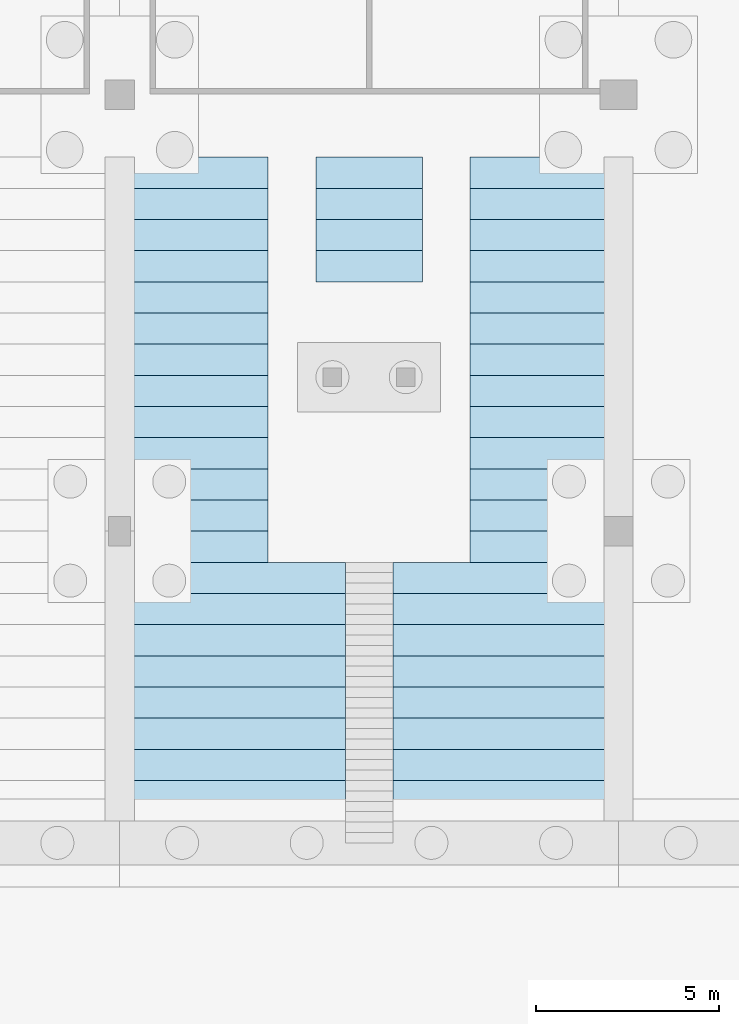
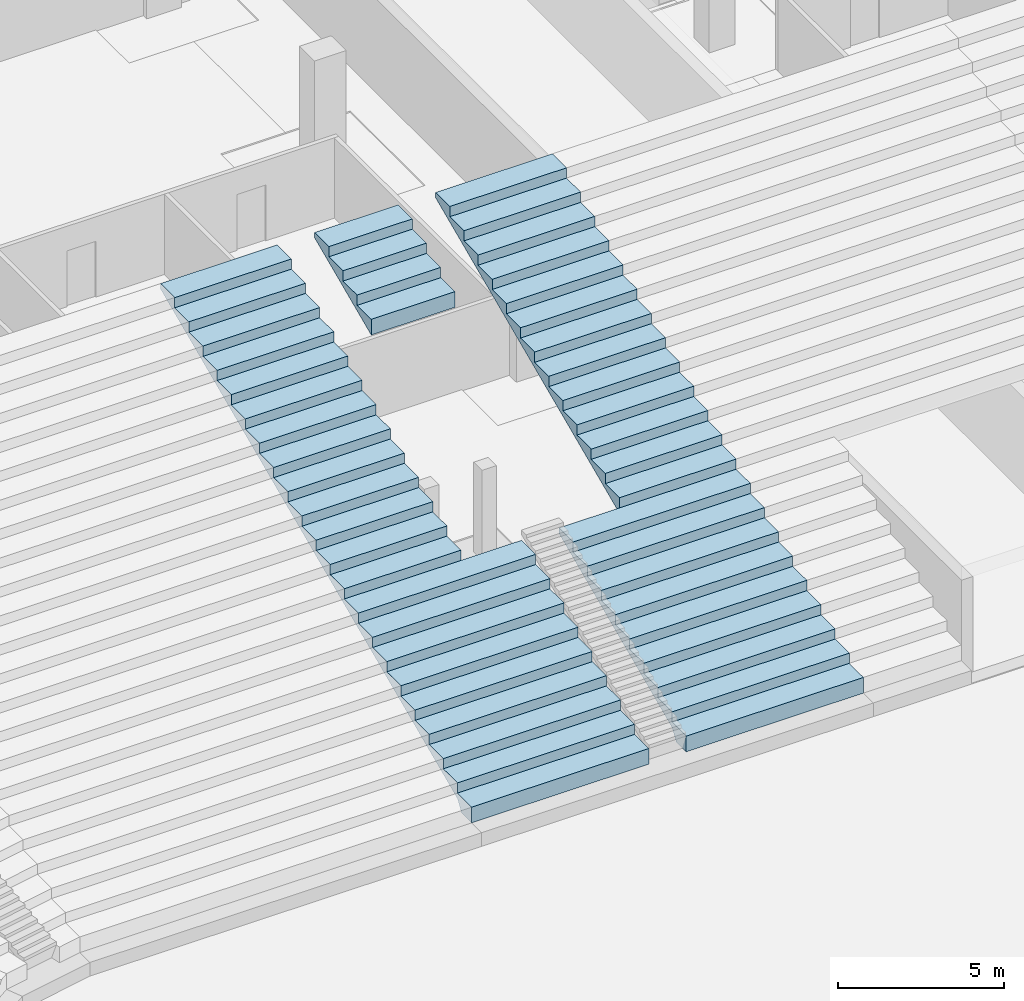
# One storey, part 55 of 115: 1 slab.
"""IFC4 building model written with IfcOpenShell, lengths in metres."""

from ifc_helpers import new_model, si_unit, direction, frame, origin, place, context, subcontext, project, spatial, faceted_brep, material, layer, layer_set, type_object, element, save


model = new_model("IFC4")

# Units and contexts
model_context = context("Model", 3, precision=1e-05, world=origin(), true_north=direction((0.0, 1.0)))
body_context = subcontext(model_context, "Body", "Model", "MODEL_VIEW")
ifc_project = project(units=[si_unit("LENGTHUNIT", "METRE"), si_unit("AREAUNIT", "SQUARE_METRE"), si_unit("VOLUMEUNIT", "CUBIC_METRE"), si_unit("PLANEANGLEUNIT", "RADIAN"), si_unit("MASSUNIT", "GRAM", prefix="KILO")], contexts=[model_context])

# Site, building, storey
site_placement = place(None, origin())
site = spatial("IfcSite", under=ifc_project, at=site_placement, CompositionType="ELEMENT")
building_placement = place(site_placement, origin())
building = spatial("IfcBuilding", under=site, at=building_placement, Name="Ogive Plaza Stadium", CompositionType="ELEMENT")
storey_placement = place(building_placement, frame((0.0, 0.0, -4.5)))
storey = spatial("IfcBuildingStorey", under=building, at=storey_placement, Name="B1", CompositionType="ELEMENT", Elevation=-4.5)

# Slab
ifc_material = material(Name="Concrete C45/55 precast", Category="concrete")
ifc_layer = layer(ifc_material, 0.574951171875)
ifc_layer_set = layer_set([ifc_layer], Name="Concrete C45/55 precast")
slab_type = type_object("IfcSlabType", Name="Seating tier LT 575", PredefinedType="USERDEFINED", material=ifc_layer_set)
slab_placement = place(storey_placement, origin())
element("IfcSlab", 1, at=slab_placement, inside=storey, type_object=slab_type, Name="Stand LT B33", ObjectType="SEATING TIER", PredefinedType="USERDEFINED", context=body_context, shape_type="Brep", body=[
    faceted_brep([(-14.25, 60.0, 1.125), (-14.25, 60.60009765625, 1.125), (-20.39990234375, 60.60009765625, 1.125), (-20.39990234375, 60.0, 1.125), (-6.800048828125, 60.0, 1.125), (-6.800048828125, 60.60009765625, 1.125), (-12.949951171875, 60.60009765625, 1.125), (-12.949951171875, 60.0, 1.125), (-14.25, 60.85009765625, 1.125), (-20.39990234375, 60.85009765625, 1.125), (-6.800048828125, 60.85009765625, 1.125), (-12.949951171875, 60.85009765625, 1.125), (-14.25, 60.60009765625, 0.550048828125), (-20.39990234375, 60.0, 0.550048828125), (-20.39990234375, 60.60009765625, 0.550048828125), (-14.25, 60.0, 0.550048828125), (-6.800048828125, 60.60009765625, 0.550048828125), (-12.949951171875, 60.0, 0.550048828125), (-12.949951171875, 60.60009765625, 0.550048828125), (-6.800048828125, 60.0, 0.550048828125), (-20.39990234375, 60.85009765625, 0.925048828125), (-20.39990234375, 60.85009765625, 1.5), (-20.39990234375, 61.699951171875, 1.5), (-20.39990234375, 61.699951171875, 1.300048828125), (-20.39990234375, 61.699951171875, 1.875), (-20.39990234375, 62.550048828125, 1.875), (-20.39990234375, 62.550048828125, 1.675048828125), (-20.39990234375, 62.550048828125, 2.25), (-20.39990234375, 63.39990234375, 2.25), (-20.39990234375, 63.39990234375, 2.050048828125), (-20.39990234375, 63.39990234375, 2.625), (-20.39990234375, 64.25, 2.625), (-20.39990234375, 64.25, 2.425048828125), (-20.39990234375, 64.25, 3.0), (-20.39990234375, 65.10009765625, 3.0), (-20.39990234375, 65.10009765625, 2.800048828125), (-20.39990234375, 65.10009765625, 3.375), (-20.39990234375, 65.949951171875, 3.375), (-20.39990234375, 65.949951171875, 3.175048828125), (-20.39990234375, 65.949951171875, 3.75), (-20.39990234375, 66.800048828125, 3.75), (-20.39990234375, 66.800048828125, 3.550048828125), (-20.39990234375, 66.800048828125, 4.125), (-20.39990234375, 67.64990234375, 4.125), (-20.39990234375, 67.64990234375, 3.925048828125), (-20.39990234375, 67.64990234375, 4.5), (-20.39990234375, 68.5, 4.5), (-20.39990234375, 68.5, 4.300048828125), (-20.39990234375, 68.5, 4.875), (-20.39990234375, 69.35009765625, 4.875), (-20.39990234375, 69.35009765625, 4.675048828125), (-20.39990234375, 69.35009765625, 5.25), (-20.39990234375, 70.199951171875, 5.25), (-20.39990234375, 70.199951171875, 5.050048828125), (-20.39990234375, 70.199951171875, 5.625), (-20.39990234375, 71.050048828125, 5.625), (-20.39990234375, 71.050048828125, 5.425048828125), (-20.39990234375, 71.050048828125, 6.0), (-20.39990234375, 71.89990234375, 6.0), (-20.39990234375, 71.89990234375, 5.800048828125), (-20.39990234375, 71.89990234375, 6.375), (-20.39990234375, 72.75, 6.375), (-20.39990234375, 72.75, 6.175048828125), (-20.39990234375, 72.75, 6.75), (-20.39990234375, 73.60009765625, 6.75), (-20.39990234375, 73.60009765625, 6.550048828125), (-20.39990234375, 73.60009765625, 7.125), (-20.39990234375, 74.449951171875, 7.125), (-20.39990234375, 74.449951171875, 6.925048828125), (-20.39990234375, 74.449951171875, 7.5), (-20.39990234375, 75.300048828125, 7.5), (-20.39990234375, 75.300048828125, 7.300048828125), (-20.39990234375, 75.300048828125, 7.875), (-20.39990234375, 76.14990234375, 7.875), (-20.39990234375, 76.14990234375, 7.675048828125), (-20.39990234375, 76.14990234375, 8.25), (-20.39990234375, 77.0, 8.25), (-20.39990234375, 77.0, 8.050048828125), (-20.39990234375, 77.0, 8.625), (-20.39990234375, 77.85009765625, 8.625), (-20.39990234375, 77.85009765625, 8.425048828125), (-20.39990234375, 77.85009765625, 9.0), (-20.39990234375, 78.699951171875, 9.0), (-20.39990234375, 78.699951171875, 8.800048828125), (-14.25, 60.85009765625, 0.925048828125), (-14.25, 61.699951171875, 1.5), (-14.25, 60.85009765625, 1.5), (-14.25, 61.699951171875, 1.300048828125), (-14.25, 62.550048828125, 1.875), (-14.25, 61.699951171875, 1.875), (-14.25, 62.550048828125, 1.675048828125), (-14.25, 63.39990234375, 2.25), (-14.25, 62.550048828125, 2.25), (-14.25, 63.39990234375, 2.050048828125), (-14.25, 64.25, 2.625), (-14.25, 63.39990234375, 2.625), (-14.25, 64.25, 2.425048828125), (-14.25, 65.10009765625, 3.0), (-14.25, 64.25, 3.0), (-14.25, 65.10009765625, 2.800048828125), (-14.25, 65.949951171875, 3.375), (-14.25, 65.10009765625, 3.375), (-14.25, 65.949951171875, 3.175048828125), (-14.25, 66.800048828125, 3.75), (-14.25, 65.949951171875, 3.75), (-14.25, 66.800048828125, 3.550048828125), (-14.25, 67.64990234375, 4.125), (-14.25, 66.800048828125, 4.125), (-14.25, 67.64990234375, 3.925048828125), (-12.949951171875, 60.85009765625, 0.925048828125), (-12.949951171875, 60.85009765625, 1.5), (-12.949951171875, 61.699951171875, 1.5), (-12.949951171875, 61.699951171875, 1.300048828125), (-12.949951171875, 61.699951171875, 1.875), (-12.949951171875, 62.550048828125, 1.875), (-12.949951171875, 62.550048828125, 1.675048828125), (-12.949951171875, 62.550048828125, 2.25), (-12.949951171875, 63.39990234375, 2.25), (-12.949951171875, 63.39990234375, 2.050048828125), (-12.949951171875, 63.39990234375, 2.625), (-12.949951171875, 64.25, 2.625), (-12.949951171875, 64.25, 2.425048828125), (-12.949951171875, 64.25, 3.0), (-12.949951171875, 65.10009765625, 3.0), (-12.949951171875, 65.10009765625, 2.800048828125), (-12.949951171875, 65.10009765625, 3.375), (-12.949951171875, 65.949951171875, 3.375), (-12.949951171875, 65.949951171875, 3.175048828125), (-12.949951171875, 65.949951171875, 3.75), (-12.949951171875, 66.800048828125, 3.75), (-12.949951171875, 66.800048828125, 3.550048828125), (-12.949951171875, 66.800048828125, 4.125), (-12.949951171875, 67.64990234375, 4.125), (-12.949951171875, 67.64990234375, 3.925048828125), (-6.800048828125, 60.85009765625, 0.925048828125), (-6.800048828125, 61.699951171875, 1.5), (-6.800048828125, 60.85009765625, 1.5), (-6.800048828125, 61.699951171875, 1.300048828125), (-6.800048828125, 62.550048828125, 1.875), (-6.800048828125, 61.699951171875, 1.875), (-6.800048828125, 62.550048828125, 1.675048828125), (-6.800048828125, 63.39990234375, 2.25), (-6.800048828125, 62.550048828125, 2.25), (-6.800048828125, 63.39990234375, 2.050048828125), (-6.800048828125, 64.25, 2.625), (-6.800048828125, 63.39990234375, 2.625), (-6.800048828125, 64.25, 2.425048828125), (-6.800048828125, 65.10009765625, 3.0), (-6.800048828125, 64.25, 3.0), (-6.800048828125, 65.10009765625, 2.800048828125), (-6.800048828125, 65.949951171875, 3.375), (-6.800048828125, 65.10009765625, 3.375), (-6.800048828125, 65.949951171875, 3.175048828125), (-6.800048828125, 66.800048828125, 3.75), (-6.800048828125, 65.949951171875, 3.75), (-6.800048828125, 66.800048828125, 3.550048828125), (-6.800048828125, 67.64990234375, 4.125), (-6.800048828125, 66.800048828125, 4.125), (-6.800048828125, 67.64990234375, 3.925048828125), (-6.800048828125, 68.5, 4.5), (-6.800048828125, 67.64990234375, 4.5), (-6.800048828125, 68.5, 4.300048828125), (-6.800048828125, 69.35009765625, 4.875), (-6.800048828125, 68.5, 4.875), (-6.800048828125, 69.35009765625, 4.675048828125), (-6.800048828125, 70.199951171875, 5.25), (-6.800048828125, 69.35009765625, 5.25), (-6.800048828125, 70.199951171875, 5.050048828125), (-6.800048828125, 71.050048828125, 5.625), (-6.800048828125, 70.199951171875, 5.625), (-6.800048828125, 71.050048828125, 5.425048828125), (-6.800048828125, 71.89990234375, 6.0), (-6.800048828125, 71.050048828125, 6.0), (-6.800048828125, 71.89990234375, 5.800048828125), (-6.800048828125, 72.75, 6.375), (-6.800048828125, 71.89990234375, 6.375), (-6.800048828125, 72.75, 6.175048828125), (-6.800048828125, 73.60009765625, 6.75), (-6.800048828125, 72.75, 6.75), (-6.800048828125, 73.60009765625, 6.550048828125), (-6.800048828125, 74.449951171875, 7.125), (-6.800048828125, 73.60009765625, 7.125), (-6.800048828125, 74.449951171875, 6.925048828125), (-6.800048828125, 75.300048828125, 7.5), (-6.800048828125, 74.449951171875, 7.5), (-6.800048828125, 75.300048828125, 7.300048828125), (-6.800048828125, 76.14990234375, 7.875), (-6.800048828125, 75.300048828125, 7.875), (-6.800048828125, 76.14990234375, 7.675048828125), (-6.800048828125, 77.0, 8.25), (-6.800048828125, 76.14990234375, 8.25), (-6.800048828125, 77.0, 8.050048828125), (-6.800048828125, 77.85009765625, 8.625), (-6.800048828125, 77.0, 8.625), (-6.800048828125, 77.85009765625, 8.425048828125), (-6.800048828125, 78.699951171875, 9.0), (-6.800048828125, 77.85009765625, 9.0), (-6.800048828125, 78.699951171875, 8.800048828125), (-16.35009765625, 67.64990234375, 3.925048828125), (-10.85009765625, 67.64990234375, 3.925048828125), (-16.35009765625, 68.5, 4.300048828125), (-10.85009765625, 68.5, 4.300048828125), (-16.35009765625, 69.35009765625, 4.675048828125), (-10.85009765625, 69.35009765625, 4.675048828125), (-16.35009765625, 70.199951171875, 5.050048828125), (-10.85009765625, 70.199951171875, 5.050048828125), (-16.35009765625, 71.050048828125, 5.425048828125), (-10.85009765625, 71.050048828125, 5.425048828125), (-16.35009765625, 71.89990234375, 5.800048828125), (-10.85009765625, 71.89990234375, 5.800048828125), (-16.35009765625, 72.75, 6.175048828125), (-10.85009765625, 72.75, 6.175048828125), (-16.35009765625, 73.60009765625, 6.550048828125), (-10.85009765625, 73.60009765625, 6.550048828125), (-16.35009765625, 74.449951171875, 6.925048828125), (-10.85009765625, 74.449951171875, 6.925048828125), (-16.35009765625, 75.300048828125, 7.300048828125), (-10.85009765625, 75.300048828125, 7.300048828125), (-16.35009765625, 76.14990234375, 7.675048828125), (-12.14990234375, 76.14990234375, 7.675048828125), (-15.050048828125, 75.300048828125, 7.300048828125), (-15.050048828125, 76.14990234375, 7.675048828125), (-12.14990234375, 75.300048828125, 7.300048828125), (-10.85009765625, 76.14990234375, 7.675048828125), (-16.35009765625, 67.64990234375, 4.125), (-10.85009765625, 67.64990234375, 4.125), (-16.35009765625, 67.64990234375, 4.5), (-10.85009765625, 67.64990234375, 4.5), (-16.35009765625, 68.5, 4.5), (-10.85009765625, 68.5, 4.5), (-16.35009765625, 68.5, 4.875), (-10.85009765625, 68.5, 4.875), (-16.35009765625, 69.35009765625, 4.875), (-16.35009765625, 70.199951171875, 5.25), (-16.35009765625, 69.35009765625, 5.25), (-16.35009765625, 71.050048828125, 5.625), (-16.35009765625, 70.199951171875, 5.625), (-16.35009765625, 71.89990234375, 6.0), (-16.35009765625, 71.050048828125, 6.0), (-16.35009765625, 72.75, 6.375), (-16.35009765625, 71.89990234375, 6.375), (-16.35009765625, 73.60009765625, 6.75), (-16.35009765625, 72.75, 6.75), (-16.35009765625, 74.449951171875, 7.125), (-16.35009765625, 73.60009765625, 7.125), (-16.35009765625, 75.300048828125, 7.5), (-16.35009765625, 74.449951171875, 7.5), (-16.35009765625, 76.14990234375, 7.875), (-16.35009765625, 75.300048828125, 7.875), (-16.35009765625, 77.0, 8.25), (-16.35009765625, 76.14990234375, 8.25), (-16.35009765625, 77.0, 8.050048828125), (-16.35009765625, 77.85009765625, 8.625), (-16.35009765625, 77.0, 8.625), (-16.35009765625, 77.85009765625, 8.425048828125), (-16.35009765625, 78.699951171875, 9.0), (-16.35009765625, 77.85009765625, 9.0), (-16.35009765625, 78.699951171875, 8.800048828125), (-10.85009765625, 69.35009765625, 4.875), (-10.85009765625, 69.35009765625, 5.25), (-10.85009765625, 70.199951171875, 5.25), (-10.85009765625, 70.199951171875, 5.625), (-10.85009765625, 71.050048828125, 5.625), (-10.85009765625, 71.050048828125, 6.0), (-10.85009765625, 71.89990234375, 6.0), (-10.85009765625, 71.89990234375, 6.375), (-10.85009765625, 72.75, 6.375), (-10.85009765625, 72.75, 6.75), (-10.85009765625, 73.60009765625, 6.75), (-10.85009765625, 73.60009765625, 7.125), (-10.85009765625, 74.449951171875, 7.125), (-10.85009765625, 74.449951171875, 7.5), (-10.85009765625, 75.300048828125, 7.5), (-10.85009765625, 75.300048828125, 7.875), (-10.85009765625, 76.14990234375, 7.875), (-10.85009765625, 76.14990234375, 8.25), (-10.85009765625, 77.0, 8.25), (-10.85009765625, 77.0, 8.050048828125), (-10.85009765625, 77.0, 8.625), (-10.85009765625, 77.85009765625, 8.625), (-10.85009765625, 77.85009765625, 8.425048828125), (-10.85009765625, 77.85009765625, 9.0), (-10.85009765625, 78.699951171875, 9.0), (-10.85009765625, 78.699951171875, 8.800048828125), (-15.050048828125, 75.300048828125, 7.875), (-12.14990234375, 75.300048828125, 7.875), (-12.14990234375, 76.14990234375, 7.875), (-15.050048828125, 76.14990234375, 7.875), (-12.14990234375, 76.14990234375, 8.25), (-15.050048828125, 76.14990234375, 8.25), (-15.050048828125, 77.0, 8.25), (-15.050048828125, 77.0, 8.050048828125), (-15.050048828125, 77.0, 8.625), (-15.050048828125, 77.85009765625, 8.625), (-15.050048828125, 77.85009765625, 8.425048828125), (-15.050048828125, 77.85009765625, 9.0), (-15.050048828125, 78.699951171875, 9.0), (-15.050048828125, 78.699951171875, 8.800048828125), (-12.14990234375, 77.0, 8.25), (-12.14990234375, 77.0, 8.050048828125), (-12.14990234375, 77.85009765625, 8.625), (-12.14990234375, 77.0, 8.625), (-12.14990234375, 77.85009765625, 8.425048828125), (-12.14990234375, 78.699951171875, 9.0), (-12.14990234375, 77.85009765625, 9.0), (-12.14990234375, 78.699951171875, 8.800048828125)], [[[0, 1, 2]], [[2, 3, 0]], [[4, 5, 6]], [[6, 7, 4]], [[1, 8, 9]], [[9, 2, 1]], [[5, 10, 11]], [[11, 6, 5]], [[12, 13, 14]], [[12, 15, 13]], [[16, 17, 18]], [[16, 19, 17]], [[2, 14, 13]], [[13, 3, 2]], [[20, 14, 2]], [[20, 2, 9]], [[9, 21, 22]], [[22, 23, 20]], [[20, 9, 22]], [[22, 24, 25]], [[25, 26, 23]], [[23, 22, 25]], [[25, 27, 28]], [[28, 29, 26]], [[26, 25, 28]], [[28, 30, 31]], [[31, 32, 29]], [[29, 28, 31]], [[31, 33, 34]], [[34, 35, 32]], [[32, 31, 34]], [[34, 36, 37]], [[37, 38, 35]], [[35, 34, 37]], [[37, 39, 40]], [[40, 41, 38]], [[38, 37, 40]], [[40, 42, 43]], [[43, 44, 41]], [[41, 40, 43]], [[43, 45, 46]], [[46, 47, 44]], [[44, 43, 46]], [[46, 48, 49]], [[49, 50, 47]], [[47, 46, 49]], [[49, 51, 52]], [[52, 53, 50]], [[50, 49, 52]], [[52, 54, 55]], [[55, 56, 53]], [[53, 52, 55]], [[55, 57, 58]], [[58, 59, 56]], [[56, 55, 58]], [[58, 60, 61]], [[61, 62, 59]], [[59, 58, 61]], [[61, 63, 64]], [[64, 65, 62]], [[62, 61, 64]], [[64, 66, 67]], [[67, 68, 65]], [[65, 64, 67]], [[67, 69, 70]], [[70, 71, 68]], [[68, 67, 70]], [[70, 72, 73]], [[73, 74, 71]], [[71, 70, 73]], [[73, 75, 76]], [[76, 77, 74]], [[74, 73, 76]], [[76, 78, 79]], [[79, 80, 77]], [[77, 76, 79]], [[79, 81, 82]], [[82, 83, 80]], [[80, 79, 82]], [[3, 13, 15]], [[15, 0, 3]], [[7, 17, 19]], [[19, 4, 7]], [[0, 15, 12]], [[12, 1, 0]], [[1, 12, 84]], [[84, 8, 1]], [[85, 86, 8]], [[8, 84, 87]], [[87, 85, 8]], [[88, 89, 85]], [[85, 87, 90]], [[90, 88, 85]], [[91, 92, 88]], [[88, 90, 93]], [[93, 91, 88]], [[94, 95, 91]], [[91, 93, 96]], [[96, 94, 91]], [[97, 98, 94]], [[94, 96, 99]], [[99, 97, 94]], [[100, 101, 97]], [[97, 99, 102]], [[102, 100, 97]], [[103, 104, 100]], [[100, 102, 105]], [[105, 103, 100]], [[106, 107, 103]], [[103, 105, 108]], [[108, 106, 103]], [[6, 18, 17]], [[17, 7, 6]], [[109, 18, 6]], [[109, 6, 11]], [[11, 110, 111]], [[111, 112, 109]], [[109, 11, 111]], [[111, 113, 114]], [[114, 115, 112]], [[112, 111, 114]], [[114, 116, 117]], [[117, 118, 115]], [[115, 114, 117]], [[117, 119, 120]], [[120, 121, 118]], [[118, 117, 120]], [[120, 122, 123]], [[123, 124, 121]], [[121, 120, 123]], [[123, 125, 126]], [[126, 127, 124]], [[124, 123, 126]], [[126, 128, 129]], [[129, 130, 127]], [[127, 126, 129]], [[129, 131, 132]], [[132, 133, 130]], [[130, 129, 132]], [[4, 19, 16]], [[16, 5, 4]], [[5, 16, 134]], [[134, 10, 5]], [[135, 136, 10]], [[10, 134, 137]], [[137, 135, 10]], [[138, 139, 135]], [[135, 137, 140]], [[140, 138, 135]], [[141, 142, 138]], [[138, 140, 143]], [[143, 141, 138]], [[144, 145, 141]], [[141, 143, 146]], [[146, 144, 141]], [[147, 148, 144]], [[144, 146, 149]], [[149, 147, 144]], [[150, 151, 147]], [[147, 149, 152]], [[152, 150, 147]], [[153, 154, 150]], [[150, 152, 155]], [[155, 153, 150]], [[156, 157, 153]], [[153, 155, 158]], [[158, 156, 153]], [[159, 160, 156]], [[156, 158, 161]], [[161, 159, 156]], [[162, 163, 159]], [[159, 161, 164]], [[164, 162, 159]], [[165, 166, 162]], [[162, 164, 167]], [[167, 165, 162]], [[168, 169, 165]], [[165, 167, 170]], [[170, 168, 165]], [[171, 172, 168]], [[168, 170, 173]], [[173, 171, 168]], [[174, 175, 171]], [[171, 173, 176]], [[176, 174, 171]], [[177, 178, 174]], [[174, 176, 179]], [[179, 177, 174]], [[180, 181, 177]], [[177, 179, 182]], [[182, 180, 177]], [[183, 184, 180]], [[180, 182, 185]], [[185, 183, 180]], [[186, 187, 183]], [[183, 185, 188]], [[188, 186, 183]], [[189, 190, 186]], [[186, 188, 191]], [[191, 189, 186]], [[192, 193, 189]], [[189, 191, 194]], [[194, 192, 189]], [[195, 196, 192]], [[192, 194, 197]], [[197, 195, 192]], [[84, 14, 20]], [[84, 12, 14]], [[134, 18, 109]], [[134, 16, 18]], [[8, 86, 21]], [[21, 9, 8]], [[10, 136, 110]], [[110, 11, 10]], [[86, 85, 22]], [[22, 21, 86]], [[136, 135, 111]], [[111, 110, 136]], [[87, 20, 23]], [[87, 84, 20]], [[137, 109, 112]], [[137, 134, 109]], [[90, 23, 26]], [[90, 87, 23]], [[140, 112, 115]], [[140, 137, 112]], [[93, 26, 29]], [[93, 90, 26]], [[143, 115, 118]], [[143, 140, 115]], [[96, 29, 32]], [[96, 93, 29]], [[146, 118, 121]], [[146, 143, 118]], [[99, 32, 35]], [[99, 96, 32]], [[149, 121, 124]], [[149, 146, 121]], [[102, 35, 38]], [[102, 99, 35]], [[152, 124, 127]], [[152, 149, 124]], [[105, 38, 41]], [[105, 102, 38]], [[155, 127, 130]], [[155, 152, 127]], [[41, 44, 198]], [[108, 41, 198]], [[108, 105, 41]], [[199, 158, 130]], [[130, 133, 199]], [[158, 155, 130]], [[200, 44, 47]], [[200, 198, 44]], [[161, 199, 201]], [[161, 158, 199]], [[202, 47, 50]], [[202, 200, 47]], [[164, 201, 203]], [[164, 161, 201]], [[204, 50, 53]], [[204, 202, 50]], [[167, 203, 205]], [[167, 164, 203]], [[206, 53, 56]], [[206, 204, 53]], [[170, 205, 207]], [[170, 167, 205]], [[208, 56, 59]], [[208, 206, 56]], [[173, 207, 209]], [[173, 170, 207]], [[210, 59, 62]], [[210, 208, 59]], [[176, 209, 211]], [[176, 173, 209]], [[212, 62, 65]], [[212, 210, 62]], [[179, 211, 213]], [[179, 176, 211]], [[214, 65, 68]], [[214, 212, 65]], [[182, 213, 215]], [[182, 179, 213]], [[216, 68, 71]], [[216, 214, 68]], [[185, 215, 217]], [[185, 182, 215]], [[218, 71, 74]], [[218, 216, 71]], [[219, 220, 221]], [[219, 222, 220]], [[188, 217, 223]], [[188, 185, 217]], [[85, 89, 24]], [[24, 22, 85]], [[135, 139, 113]], [[113, 111, 135]], [[89, 88, 25]], [[25, 24, 89]], [[139, 138, 114]], [[114, 113, 139]], [[88, 92, 27]], [[27, 25, 88]], [[138, 142, 116]], [[116, 114, 138]], [[92, 91, 28]], [[28, 27, 92]], [[142, 141, 117]], [[117, 116, 142]], [[91, 95, 30]], [[30, 28, 91]], [[141, 145, 119]], [[119, 117, 141]], [[95, 94, 31]], [[31, 30, 95]], [[145, 144, 120]], [[120, 119, 145]], [[94, 98, 33]], [[33, 31, 94]], [[144, 148, 122]], [[122, 120, 144]], [[98, 97, 34]], [[34, 33, 98]], [[148, 147, 123]], [[123, 122, 148]], [[97, 101, 36]], [[36, 34, 97]], [[147, 151, 125]], [[125, 123, 147]], [[101, 100, 37]], [[37, 36, 101]], [[151, 150, 126]], [[126, 125, 151]], [[100, 104, 39]], [[39, 37, 100]], [[150, 154, 128]], [[128, 126, 150]], [[104, 103, 40]], [[40, 39, 104]], [[154, 153, 129]], [[129, 128, 154]], [[103, 107, 42]], [[42, 40, 103]], [[153, 157, 131]], [[131, 129, 153]], [[43, 42, 107]], [[224, 43, 107]], [[106, 224, 107]], [[132, 131, 157]], [[157, 156, 225]], [[225, 132, 157]], [[106, 108, 198]], [[198, 224, 106]], [[132, 225, 199]], [[199, 133, 132]], [[45, 43, 224]], [[226, 45, 224]], [[156, 160, 227]], [[227, 225, 156]], [[226, 228, 46]], [[46, 45, 226]], [[160, 159, 229]], [[229, 227, 160]], [[228, 230, 48]], [[48, 46, 228]], [[159, 163, 231]], [[231, 229, 159]], [[228, 226, 224]], [[224, 198, 200]], [[200, 228, 224]], [[232, 230, 228]], [[228, 200, 202]], [[202, 232, 228]], [[233, 234, 232]], [[232, 202, 204]], [[204, 233, 232]], [[235, 236, 233]], [[233, 204, 206]], [[206, 235, 233]], [[237, 238, 235]], [[235, 206, 208]], [[208, 237, 235]], [[239, 240, 237]], [[237, 208, 210]], [[210, 239, 237]], [[241, 242, 239]], [[239, 210, 212]], [[212, 241, 239]], [[243, 244, 241]], [[241, 212, 214]], [[214, 243, 241]], [[245, 246, 243]], [[243, 214, 216]], [[216, 245, 243]], [[247, 248, 245]], [[245, 216, 218]], [[218, 247, 245]], [[249, 250, 247]], [[247, 218, 251]], [[251, 249, 247]], [[252, 253, 249]], [[249, 251, 254]], [[254, 252, 249]], [[255, 256, 252]], [[252, 254, 257]], [[257, 255, 252]], [[225, 227, 229]], [[229, 201, 199]], [[199, 225, 229]], [[229, 231, 258]], [[258, 203, 201]], [[201, 229, 258]], [[258, 259, 260]], [[260, 205, 203]], [[203, 258, 260]], [[260, 261, 262]], [[262, 207, 205]], [[205, 260, 262]], [[262, 263, 264]], [[264, 209, 207]], [[207, 262, 264]], [[264, 265, 266]], [[266, 211, 209]], [[209, 264, 266]], [[266, 267, 268]], [[268, 213, 211]], [[211, 266, 268]], [[268, 269, 270]], [[270, 215, 213]], [[213, 268, 270]], [[270, 271, 272]], [[272, 217, 215]], [[215, 270, 272]], [[272, 273, 274]], [[274, 223, 217]], [[217, 272, 274]], [[274, 275, 276]], [[276, 277, 223]], [[223, 274, 276]], [[276, 278, 279]], [[279, 280, 277]], [[277, 276, 279]], [[279, 281, 282]], [[282, 283, 280]], [[280, 279, 282]], [[230, 232, 49]], [[49, 48, 230]], [[163, 162, 258]], [[258, 231, 163]], [[232, 234, 51]], [[51, 49, 232]], [[162, 166, 259]], [[259, 258, 162]], [[234, 233, 52]], [[52, 51, 234]], [[166, 165, 260]], [[260, 259, 166]], [[233, 236, 54]], [[54, 52, 233]], [[165, 169, 261]], [[261, 260, 165]], [[236, 235, 55]], [[55, 54, 236]], [[169, 168, 262]], [[262, 261, 169]], [[235, 238, 57]], [[57, 55, 235]], [[168, 172, 263]], [[263, 262, 168]], [[238, 237, 58]], [[58, 57, 238]], [[172, 171, 264]], [[264, 263, 172]], [[237, 240, 60]], [[60, 58, 237]], [[171, 175, 265]], [[265, 264, 171]], [[240, 239, 61]], [[61, 60, 240]], [[175, 174, 266]], [[266, 265, 175]], [[239, 242, 63]], [[63, 61, 239]], [[174, 178, 267]], [[267, 266, 174]], [[242, 241, 64]], [[64, 63, 242]], [[178, 177, 268]], [[268, 267, 178]], [[241, 244, 66]], [[66, 64, 241]], [[177, 181, 269]], [[269, 268, 177]], [[244, 243, 67]], [[67, 66, 244]], [[181, 180, 270]], [[270, 269, 181]], [[243, 246, 69]], [[69, 67, 243]], [[180, 184, 271]], [[271, 270, 180]], [[246, 245, 70]], [[70, 69, 246]], [[184, 183, 272]], [[272, 271, 184]], [[245, 248, 72]], [[72, 70, 245]], [[284, 220, 222]], [[222, 285, 284]], [[183, 187, 273]], [[273, 272, 183]], [[248, 247, 73]], [[73, 72, 248]], [[285, 286, 287]], [[287, 284, 285]], [[187, 186, 274]], [[274, 273, 187]], [[247, 250, 75]], [[75, 73, 247]], [[286, 288, 289]], [[289, 287, 286]], [[186, 190, 275]], [[275, 274, 186]], [[221, 220, 284]], [[221, 284, 287]], [[287, 289, 290]], [[290, 291, 221]], [[221, 287, 290]], [[290, 292, 293]], [[293, 294, 291]], [[291, 290, 293]], [[293, 295, 296]], [[296, 297, 294]], [[294, 293, 296]], [[285, 222, 219]], [[219, 286, 285]], [[298, 288, 286]], [[286, 219, 299]], [[299, 298, 286]], [[300, 301, 298]], [[298, 299, 302]], [[302, 300, 298]], [[303, 304, 300]], [[300, 302, 305]], [[305, 303, 300]], [[250, 249, 76]], [[76, 75, 250]], [[288, 298, 290]], [[290, 289, 288]], [[190, 189, 276]], [[276, 275, 190]], [[251, 74, 77]], [[251, 218, 74]], [[299, 221, 291]], [[299, 219, 221]], [[191, 223, 277]], [[191, 188, 223]], [[254, 77, 80]], [[254, 251, 77]], [[302, 291, 294]], [[302, 299, 291]], [[194, 277, 280]], [[194, 191, 277]], [[257, 80, 83]], [[257, 254, 80]], [[305, 294, 297]], [[305, 302, 294]], [[197, 280, 283]], [[197, 194, 280]], [[249, 253, 78]], [[78, 76, 249]], [[298, 301, 292]], [[292, 290, 298]], [[189, 193, 278]], [[278, 276, 189]], [[253, 252, 79]], [[79, 78, 253]], [[301, 300, 293]], [[293, 292, 301]], [[193, 192, 279]], [[279, 278, 193]], [[252, 256, 81]], [[81, 79, 252]], [[300, 304, 295]], [[295, 293, 300]], [[192, 196, 281]], [[281, 279, 192]], [[256, 255, 82]], [[82, 81, 256]], [[304, 303, 296]], [[296, 295, 304]], [[196, 195, 282]], [[282, 281, 196]], [[255, 257, 83]], [[83, 82, 255]], [[303, 305, 297]], [[297, 296, 303]], [[195, 197, 283]], [[283, 282, 195]]]),
])

save(model, "model.ifc")
